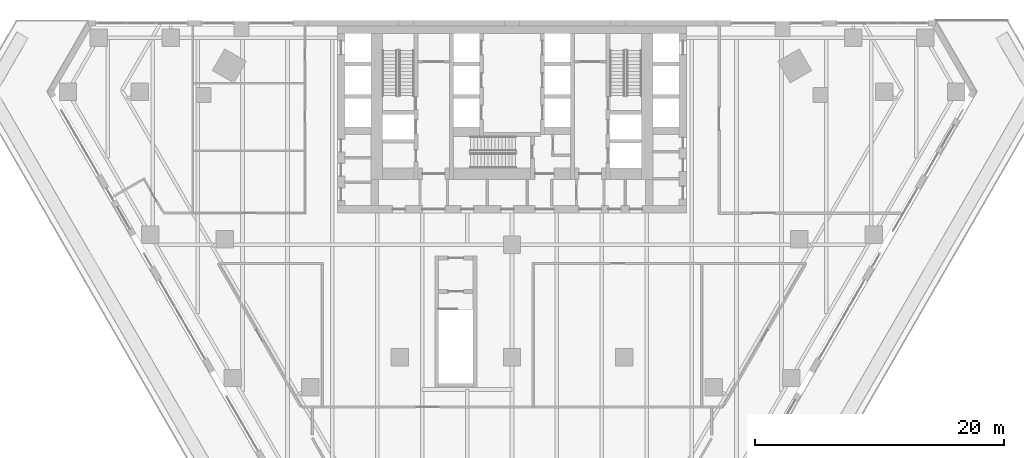
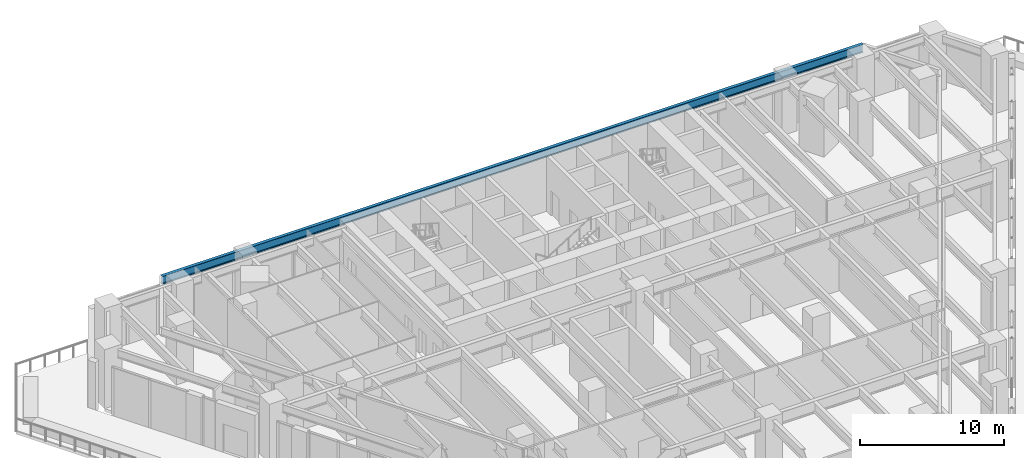
# One storey, part 13 of 31: 1 beam.
"""IFC4 building model written with IfcOpenShell, lengths in metres."""

from ifc_helpers import new_model, si_unit, direction, frame, origin, origin_2d, place, context, subcontext, project, spatial, i_section, extrude, material, material_profile, profile_set, type_object, element, save


model = new_model("IFC4")

# Units and contexts
model_context = context("Model", 3, precision=1e-05, world=origin(), true_north=direction((0.0, 1.0)))
body_context = subcontext(model_context, "Body", "Model", "MODEL_VIEW")
ifc_project = project(units=[si_unit("LENGTHUNIT", "METRE"), si_unit("AREAUNIT", "SQUARE_METRE"), si_unit("VOLUMEUNIT", "CUBIC_METRE"), si_unit("PLANEANGLEUNIT", "RADIAN"), si_unit("MASSUNIT", "GRAM", prefix="KILO")], contexts=[model_context])

# Site, building, storey
site_placement = place(None, origin())
site = spatial("IfcSite", under=ifc_project, at=site_placement, CompositionType="ELEMENT")
building_placement = place(site_placement, origin())
building = spatial("IfcBuilding", under=site, at=building_placement, Name="Aloe Facet Convention Tower", CompositionType="ELEMENT")
storey_placement = place(building_placement, frame((0.0, 0.0, 25.0)))
storey = spatial("IfcBuildingStorey", under=building, at=storey_placement, Name="L04", CompositionType="ELEMENT", Elevation=25.0)

# Beam
ifc_material = material(Name="Steel S355", Category="steel")
ifc_material_profile = material_profile(ifc_material, i_section(OverallWidth=0.25439453125, OverallDepth=0.6875, WebThickness=0.01318359375, FlangeThickness=0.02099609375, FilletRadius=0.01513671875, at=origin_2d()), Name="UB 686x254x152")
ifc_profile_set = profile_set([ifc_material_profile], Name="Steel S355")
beam_type = type_object("IfcBeamType", Name="EV-EB-UB686x254x152", PredefinedType="BEAM", material=ifc_profile_set)
beam_placement = place(storey_placement, frame((108.173583984375, 134.77490234375, 4.356201171875), z_axis=(-1.0, 0.0, 0.0), x_axis=(0.0, -1.0, 0.0)))
element("IfcBeam", 1, at=beam_placement, inside=storey, type_object=beam_type, Name="EB-L05-N", PredefinedType="BEAM", context=body_context, shape_type="SweptSolid", body=[
    extrude(i_section(OverallWidth=0.25439453125, OverallDepth=0.6875, WebThickness=0.01318359375, FlangeThickness=0.02099609375, FilletRadius=0.01513671875, at=origin_2d()), origin(), (0.0, 0.0, 1.0), 56.34716796875),
])

save(model, "model.ifc")
